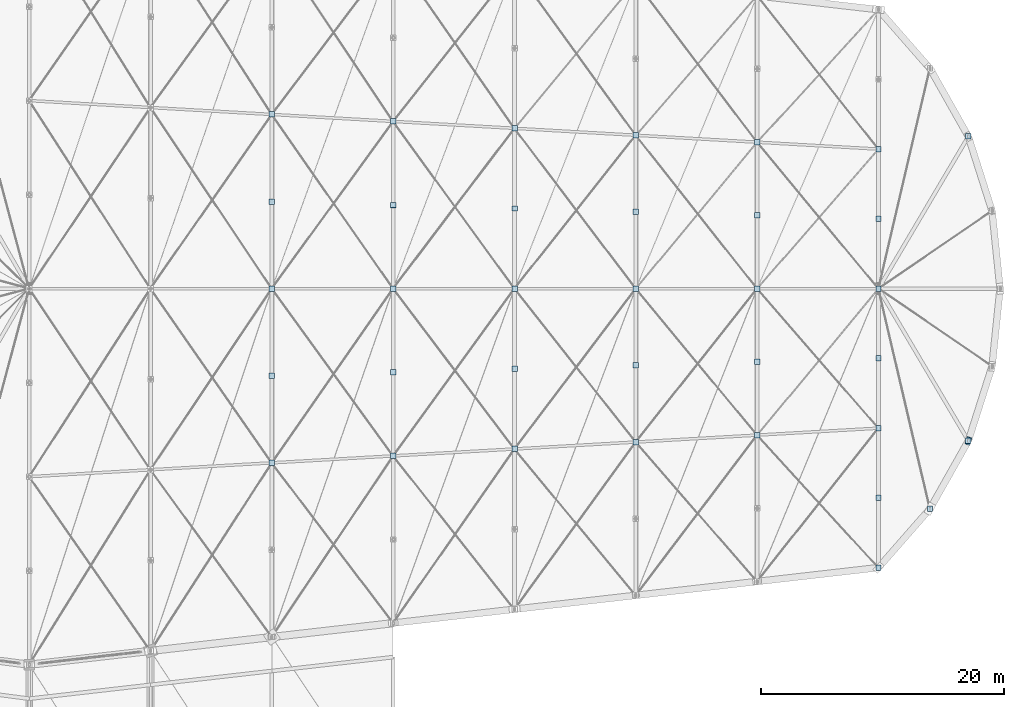
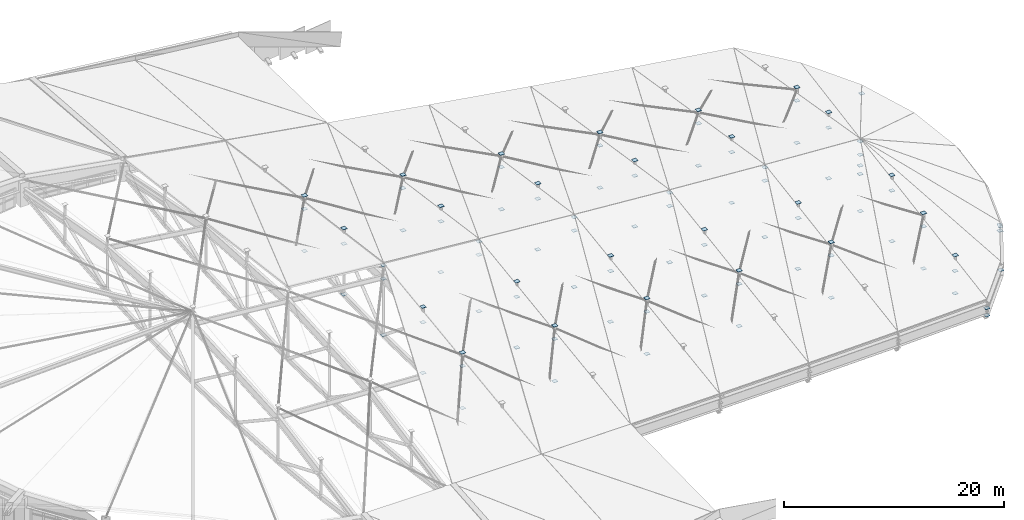
# One storey, part 62 of 68: 101 plates.
"""IFC4 building model written with IfcOpenShell, lengths in metres."""

from ifc_helpers import new_model, si_unit, direction, frame, origin, origin_2d, place, context, subcontext, project, spatial, rectangle, extrude, material, layer, layer_set, type_object, element, save


model = new_model("IFC4")

# Units and contexts
model_context = context("Model", 3, precision=1e-05, world=origin(), true_north=direction((0.0, 1.0)))
body_context = subcontext(model_context, "Body", "Model", "MODEL_VIEW")
ifc_project = project(units=[si_unit("LENGTHUNIT", "METRE"), si_unit("AREAUNIT", "SQUARE_METRE"), si_unit("VOLUMEUNIT", "CUBIC_METRE"), si_unit("PLANEANGLEUNIT", "RADIAN"), si_unit("MASSUNIT", "GRAM", prefix="KILO")], contexts=[model_context])

# Site, building, storey
site_placement = place(None, origin())
site = spatial("IfcSite", under=ifc_project, at=site_placement, CompositionType="ELEMENT")
building_placement = place(site_placement, origin())
building = spatial("IfcBuilding", under=site, at=building_placement, Name="Sohan Crest Arena", CompositionType="ELEMENT")
storey_placement = place(building_placement, frame((0.0, 0.0, 27.0)))
storey = spatial("IfcBuildingStorey", under=building, at=storey_placement, Name="RF", CompositionType="ELEMENT", Elevation=27.0)

# Plates
ifc_material = material(Name="Steel S355", Category="steel")
ifc_layer_1 = layer(ifc_material, 0.031982421875, Name="Steel S355")
ifc_layer_set_1 = layer_set([ifc_layer_1], Name="Steel S355")
plate_type_1 = type_object("IfcPlateType", Name="STR-PL-BP01", PredefinedType="USERDEFINED", material=ifc_layer_set_1)
for number, where, z_axis, x_axis, name in (
    (1, (118.0, 63.64306640625, 2.511474609375), (0.0, 0.0, 1.0), (1.0, 0.0, 0.0), "Hollow section end cap plate ECP-0326"),
    (2, (118.0, 63.64306640625, 4.00146484375), (0.0, 0.0, 1.0), (1.0, 0.0, 0.0), "Hollow section end cap plate ECP-0327"),
    (3, (118.0, 70.822021484375, 2.99365234375), (0.0, 0.0, 1.0), (1.0, 0.0, 0.0), "Hollow section end cap plate ECP-0328"),
    (4, (118.0, 70.822021484375, 4.7236328125), (0.0, 0.0, 1.0), (1.0, 0.0, 0.0), "Hollow section end cap plate ECP-0329"),
    (5, (118.0, 78.0, 3.474609375), (0.0, 0.0, 1.0), (1.0, 0.0, 0.0), "Hollow section end cap plate ECP-0330"),
    (6, (118.0, 78.0, 4.964599609375), (0.0, 0.0, 1.0), (1.0, 0.0, 0.0), "Hollow section end cap plate ECP-0331"),
    (7, (118.0, 85.177978515625, 2.99365234375), (0.0, 0.0, 1.0), (1.0, 0.0, 0.0), "Hollow section end cap plate ECP-0332"),
    (8, (118.0, 85.177978515625, 4.7236328125), (0.0, 0.0, 1.0), (1.0, 0.0, 0.0), "Hollow section end cap plate ECP-0333"),
    (9, (118.0, 92.35693359375, 2.511474609375), (0.0, 0.0, 1.0), (1.0, 0.0, 0.0), "Hollow section end cap plate ECP-0334"),
    (10, (118.0, 92.35693359375, 4.00146484375), (0.0, 0.0, 1.0), (1.0, 0.0, 0.0), "Hollow section end cap plate ECP-0335"),
    (11, (118.0, 63.64306640625, -2.175537109375), (0.0, 0.0, 1.0), (1.0, 0.0, 0.0), "Hollow section end cap plate ECP-0340"),
    (12, (118.0, 70.822021484375, -2.62548828125), (0.0, 0.0, 1.0), (1.0, 0.0, 0.0), "Hollow section end cap plate ECP-0341"),
    (13, (118.0, 78.0, -2.775390625), (0.0, 0.0, 1.0), (1.0, 0.0, 0.0), "Hollow section end cap plate ECP-0342"),
    (14, (118.0, 85.177978515625, -2.62548828125), (0.0, 0.0, 1.0), (1.0, 0.0, 0.0), "Hollow section end cap plate ECP-0343"),
    (15, (118.0, 92.35693359375, -2.175537109375), (0.0, 0.0, 1.0), (1.0, 0.0, 0.0), "Hollow section end cap plate ECP-0344"),
    (16, (128.0, 64.215087890625, 1.652587890625), (0.0, 0.0, 1.0), (1.0, 0.0, 0.0), "Hollow section end cap plate ECP-0349"),
    (17, (128.0, 64.215087890625, 3.142578125), (0.0, 0.0, 1.0), (1.0, 0.0, 0.0), "Hollow section end cap plate ECP-0350"),
    (18, (128.0, 71.10791015625, 2.133544921875), (0.0, 0.0, 1.0), (1.0, 0.0, 0.0), "Hollow section end cap plate ECP-0351"),
    (19, (128.0, 71.10693359375, 3.863525390625), (0.0, 0.0, 1.0), (1.0, 0.0, 0.0), "Hollow section end cap plate ECP-0352"),
    (20, (128.0, 78.0, 2.614501953125), (0.0, 0.0, 1.0), (1.0, 0.0, 0.0), "Hollow section end cap plate ECP-0353"),
    (21, (128.0, 78.0, 4.1044921875), (0.0, 0.0, 1.0), (1.0, 0.0, 0.0), "Hollow section end cap plate ECP-0354"),
    (22, (128.0, 84.89208984375, 2.133544921875), (0.0, 0.0, 1.0), (1.0, 0.0, 0.0), "Hollow section end cap plate ECP-0355"),
    (23, (128.0, 84.89306640625, 3.863525390625), (0.0, 0.0, 1.0), (1.0, 0.0, 0.0), "Hollow section end cap plate ECP-0356"),
    (24, (128.0, 91.784912109375, 1.652587890625), (0.0, 0.0, 1.0), (1.0, 0.0, 0.0), "Hollow section end cap plate ECP-0357"),
    (25, (128.0, 91.784912109375, 3.142578125), (0.0, 0.0, 1.0), (1.0, 0.0, 0.0), "Hollow section end cap plate ECP-0358"),
    (26, (128.0, 64.215087890625, -3.035400390625), (0.0, 0.0, 1.0), (1.0, 0.0, 0.0), "Hollow section end cap plate ECP-0363"),
    (27, (128.0, 71.10693359375, -3.4853515625), (0.0, 0.0, 1.0), (1.0, 0.0, 0.0), "Hollow section end cap plate ECP-0364"),
    (28, (128.0, 78.0, -3.635498046875), (0.0, 0.0, 1.0), (1.0, 0.0, 0.0), "Hollow section end cap plate ECP-0365"),
    (29, (128.0, 84.89306640625, -3.4853515625), (0.0, 0.0, 1.0), (1.0, 0.0, 0.0), "Hollow section end cap plate ECP-0366"),
    (30, (128.0, 91.784912109375, -3.035400390625), (0.0, 0.0, 1.0), (1.0, 0.0, 0.0), "Hollow section end cap plate ECP-0367"),
    (31, (138.0, 64.784912109375, 0.83447265625), (0.0, 0.0, 1.0), (1.0, 0.0, 0.0), "Hollow section end cap plate ECP-0372"),
    (32, (138.0, 64.784912109375, 2.324462890625), (0.0, 0.0, 1.0), (1.0, 0.0, 0.0), "Hollow section end cap plate ECP-0373"),
    (33, (138.0, 71.39208984375, 1.3154296875), (0.0, 0.0, 1.0), (1.0, 0.0, 0.0), "Hollow section end cap plate ECP-0374"),
    (34, (138.0, 71.39306640625, 3.046630859375), (0.0, 0.0, 1.0), (1.0, 0.0, 0.0), "Hollow section end cap plate ECP-0375"),
    (35, (138.0, 78.0, 1.797607421875), (0.0, 0.0, 1.0), (1.0, 0.0, 0.0), "Hollow section end cap plate ECP-0376"),
    (36, (138.0, 78.0, 3.28759765625), (0.0, 0.0, 1.0), (1.0, 0.0, 0.0), "Hollow section end cap plate ECP-0377"),
    (37, (138.0, 84.60791015625, 1.3154296875), (0.0, 0.0, 1.0), (1.0, 0.0, 0.0), "Hollow section end cap plate ECP-0378"),
    (38, (138.0, 84.60693359375, 3.046630859375), (0.0, 0.0, 1.0), (1.0, 0.0, 0.0), "Hollow section end cap plate ECP-0379"),
    (39, (138.0, 91.215087890625, 0.83447265625), (0.0, 0.0, 1.0), (1.0, 0.0, 0.0), "Hollow section end cap plate ECP-0380"),
    (40, (138.0, 91.215087890625, 2.324462890625), (0.0, 0.0, 1.0), (1.0, 0.0, 0.0), "Hollow section end cap plate ECP-0381"),
    (41, (138.0, 64.784912109375, -3.8525390625), (0.0, 0.0, 1.0), (1.0, 0.0, 0.0), "Hollow section end cap plate ECP-0386"),
    (42, (138.0, 71.39306640625, -4.302490234375), (0.0, 0.0, 1.0), (1.0, 0.0, 0.0), "Hollow section end cap plate ECP-0387"),
    (43, (138.0, 78.0, -4.452392578125), (0.0, 0.0, 1.0), (1.0, 0.0, 0.0), "Hollow section end cap plate ECP-0388"),
    (44, (138.0, 84.60693359375, -4.302490234375), (0.0, 0.0, 1.0), (1.0, 0.0, 0.0), "Hollow section end cap plate ECP-0389"),
    (45, (138.0, 91.215087890625, -3.8525390625), (0.0, 0.0, 1.0), (1.0, 0.0, 0.0), "Hollow section end cap plate ECP-0390"),
    (46, (148.0, 65.35693359375, 0.068603515625), (0.0, 0.0, 1.0), (1.0, 0.0, 0.0), "Hollow section end cap plate ECP-0395"),
    (47, (148.0, 65.35693359375, 1.55859375), (0.0, 0.0, 1.0), (1.0, 0.0, 0.0), "Hollow section end cap plate ECP-0396"),
    (48, (148.0, 71.677978515625, 0.549560546875), (0.0, 0.0, 1.0), (1.0, 0.0, 0.0), "Hollow section end cap plate ECP-0397"),
    (49, (148.0, 71.677978515625, 2.279541015625), (0.0, 0.0, 1.0), (1.0, 0.0, 0.0), "Hollow section end cap plate ECP-0398"),
    (50, (148.0, 78.0, 1.030517578125), (0.0, 0.0, 1.0), (1.0, 0.0, 0.0), "Hollow section end cap plate ECP-0399"),
    (51, (148.0, 78.0, 2.5205078125), (0.0, 0.0, 1.0), (1.0, 0.0, 0.0), "Hollow section end cap plate ECP-0400"),
    (52, (148.0, 84.322021484375, 0.549560546875), (0.0, 0.0, 1.0), (1.0, 0.0, 0.0), "Hollow section end cap plate ECP-0401"),
    (53, (148.0, 84.322021484375, 2.279541015625), (0.0, 0.0, 1.0), (1.0, 0.0, 0.0), "Hollow section end cap plate ECP-0402"),
    (54, (148.0, 90.64306640625, 0.068603515625), (0.0, 0.0, 1.0), (1.0, 0.0, 0.0), "Hollow section end cap plate ECP-0403"),
    (55, (148.0, 90.64306640625, 1.55859375), (0.0, 0.0, 1.0), (1.0, 0.0, 0.0), "Hollow section end cap plate ECP-0404"),
    (56, (148.0, 65.35693359375, -4.619384765625), (0.0, 0.0, 1.0), (1.0, 0.0, 0.0), "Hollow section end cap plate ECP-0409"),
    (57, (148.0, 71.677978515625, -5.0693359375), (0.0, 0.0, 1.0), (1.0, 0.0, 0.0), "Hollow section end cap plate ECP-0410"),
    (58, (148.0, 78.0, -5.219482421875), (0.0, 0.0, 1.0), (1.0, 0.0, 0.0), "Hollow section end cap plate ECP-0411"),
    (59, (148.0, 84.322021484375, -5.0693359375), (0.0, 0.0, 1.0), (1.0, 0.0, 0.0), "Hollow section end cap plate ECP-0412"),
    (60, (148.0, 90.64306640625, -4.619384765625), (0.0, 0.0, 1.0), (1.0, 0.0, 0.0), "Hollow section end cap plate ECP-0413"),
    (61, (158.0, 65.927978515625, -0.637451171875), (0.0, 0.0, 1.0), (1.0, 0.0, 0.0), "Hollow section end cap plate ECP-0418"),
    (62, (158.0, 65.927978515625, 0.8525390625), (0.0, 0.0, 1.0), (1.0, 0.0, 0.0), "Hollow section end cap plate ECP-0419"),
    (63, (158.0, 71.964111328125, -0.155517578125), (0.0, 0.0, 1.0), (1.0, 0.0, 0.0), "Hollow section end cap plate ECP-0420"),
    (64, (158.0, 71.964111328125, 1.574462890625), (0.0, 0.0, 1.0), (1.0, 0.0, 0.0), "Hollow section end cap plate ECP-0421"),
    (65, (158.0, 78.0, 0.325439453125), (0.0, 0.0, 1.0), (1.0, 0.0, 0.0), "Hollow section end cap plate ECP-0422"),
    (66, (158.0, 78.0, 1.8154296875), (0.0, 0.0, 1.0), (1.0, 0.0, 0.0), "Hollow section end cap plate ECP-0423"),
    (67, (158.0, 84.035888671875, -0.155517578125), (0.0, 0.0, 1.0), (1.0, 0.0, 0.0), "Hollow section end cap plate ECP-0424"),
    (68, (158.0, 84.035888671875, 1.574462890625), (0.0, 0.0, 1.0), (1.0, 0.0, 0.0), "Hollow section end cap plate ECP-0425"),
    (69, (158.0, 90.072021484375, -0.637451171875), (0.0, 0.0, 1.0), (1.0, 0.0, 0.0), "Hollow section end cap plate ECP-0426"),
    (70, (158.0, 90.072021484375, 0.8525390625), (0.0, 0.0, 1.0), (1.0, 0.0, 0.0), "Hollow section end cap plate ECP-0427"),
    (71, (158.0, 65.927978515625, -5.324462890625), (0.0, 0.0, 1.0), (1.0, 0.0, 0.0), "Hollow section end cap plate ECP-0432"),
    (72, (158.0, 71.964111328125, -5.7744140625), (0.0, 0.0, 1.0), (1.0, 0.0, 0.0), "Hollow section end cap plate ECP-0433"),
    (73, (158.0, 78.0, -5.924560546875), (0.0, 0.0, 1.0), (1.0, 0.0, 0.0), "Hollow section end cap plate ECP-0434"),
    (74, (158.0, 84.035888671875, -5.7744140625), (0.0, 0.0, 1.0), (1.0, 0.0, 0.0), "Hollow section end cap plate ECP-0435"),
    (75, (158.0, 90.072021484375, -5.324462890625), (0.0, 0.0, 1.0), (1.0, 0.0, 0.0), "Hollow section end cap plate ECP-0436"),
    (76, (168.0, 55.0, -4.1435546875), (0.0, 0.0, 1.0), (1.0, 0.0, 0.0), "Hollow section end cap plate ECP-0438"),
    (77, (168.0, 60.75, -2.700439453125), (0.0, 0.0, 1.0), (1.0, 0.0, 0.0), "Hollow section end cap plate ECP-0439"),
    (78, (168.0, 60.75, -0.969482421875), (0.0, 0.0, 1.0), (1.0, 0.0, 0.0), "Hollow section end cap plate ECP-0440"),
    (79, (168.0, 66.5, -1.25634765625), (0.0, 0.0, 1.0), (1.0, 0.0, 0.0), "Hollow section end cap plate ECP-0441"),
    (80, (168.0, 66.5, 0.233642578125), (0.0, 0.0, 1.0), (1.0, 0.0, 0.0), "Hollow section end cap plate ECP-0442"),
    (81, (168.0, 72.25, -0.7744140625), (0.0, 0.0, 1.0), (1.0, 0.0, 0.0), "Hollow section end cap plate ECP-0443"),
    (82, (168.0, 72.25, 0.95556640625), (0.0, 0.0, 1.0), (1.0, 0.0, 0.0), "Hollow section end cap plate ECP-0444"),
    (83, (168.0, 78.0, -0.29345703125), (0.0, 0.0, 1.0), (1.0, 0.0, 0.0), "Hollow section end cap plate ECP-0445"),
    (84, (168.0, 78.0, 1.196533203125), (0.0, 0.0, 1.0), (1.0, 0.0, 0.0), "Hollow section end cap plate ECP-0446"),
    (85, (168.0, 83.75, -0.7744140625), (0.0, 0.0, 1.0), (1.0, 0.0, 0.0), "Hollow section end cap plate ECP-0447"),
    (86, (168.0, 83.75, 0.95556640625), (0.0, 0.0, 1.0), (1.0, 0.0, 0.0), "Hollow section end cap plate ECP-0448"),
    (87, (168.0, 89.5, -1.25634765625), (0.0, 0.0, 1.0), (1.0, 0.0, 0.0), "Hollow section end cap plate ECP-0449"),
    (88, (168.0, 89.5, 0.233642578125), (0.0, 0.0, 1.0), (1.0, 0.0, 0.0), "Hollow section end cap plate ECP-0450"),
    (89, (168.0, 60.75, -5.193359375), (0.0, 0.0, 1.0), (1.0, 0.0, 0.0), "Hollow section end cap plate ECP-0454"),
    (90, (168.0, 66.5, -5.943359375), (0.0, 0.0, 1.0), (1.0, 0.0, 0.0), "Hollow section end cap plate ECP-0455"),
    (91, (168.0, 72.25, -6.3935546875), (0.0, 0.0, 1.0), (1.0, 0.0, 0.0), "Hollow section end cap plate ECP-0456"),
    (92, (168.0, 78.0, -6.54345703125), (0.0, 0.0, 1.0), (1.0, 0.0, 0.0), "Hollow section end cap plate ECP-0457"),
    (93, (168.0, 83.75, -6.3935546875), (0.0, 0.0, 1.0), (1.0, 0.0, 0.0), "Hollow section end cap plate ECP-0458"),
    (94, (168.0, 89.5, -5.943359375), (0.0, 0.0, 1.0), (1.0, 0.0, 0.0), "Hollow section end cap plate ECP-0459"),
    (95, (168.0, 55.0, -3.33349609375), (0.0, 0.0, 1.0), (1.0, 0.0, 0.0), "Hollow section end cap plate ECP-0480"),
    (96, (172.242919921875, 59.845947265625, -3.557373046875), (0.0, 0.0, 1.0), (1.0, 0.0, 0.0), "Hollow section end cap plate ECP-0481"),
    (97, (175.408935546875, 65.455078125, -3.699462890625), (0.0, 0.0, 1.0), (1.0, 0.0, 0.0), "Hollow section end cap plate ECP-0482"),
    (98, (175.408935546875, 90.544921875, -3.699462890625), (0.0, 0.0, 1.0), (1.0, 0.0, 0.0), "Hollow section end cap plate ECP-0486"),
    (99, (168.0, 78.0, -2.41748046875), (0.0, 0.0, 1.0), (1.0, 0.0, 0.0), "Hollow section end cap plate ECP-0497"),
    (100, (168.0, 78.0, -1.487548828125), (0.0, 0.0, 1.0), (1.0, 0.0, 0.0), "Hollow section end cap plate ECP-0498"),
):
    element("IfcPlate", number, at=place(storey_placement, frame(where, z_axis=z_axis, x_axis=x_axis)), inside=storey, type_object=plate_type_1, Name=name, ObjectType="BASE PLATE", PredefinedType="USERDEFINED", context=body_context, shape_type="SweptSolid", body=[
        extrude(rectangle(XDim=0.449951171875, YDim=0.449951171875, at=origin_2d()), origin(), (0.0, 0.0, 1.0), 0.02490234375),
    ])
ifc_layer_2 = layer(ifc_material, 0.02490234375, Name="Steel S355")
ifc_layer_set_2 = layer_set([ifc_layer_2], Name="Steel S355")
plate_type_2 = type_object("IfcPlateType", Name="STR-PL-GP01", PredefinedType="USERDEFINED", material=ifc_layer_set_2)
plate_placement = place(storey_placement, frame((175.408935546875, 65.455078125, -3.139404296875), z_axis=(0.0, 0.0, 1.0), x_axis=(0.304033060925, 0.952661481254, 0.0)))
element("IfcPlate", 101, at=plate_placement, inside=storey, type_object=plate_type_2, Name="Ring beam node gusset plate GP-RB22", ObjectType="GUSSET PLATE", PredefinedType="USERDEFINED", context=body_context, shape_type="SweptSolid", body=[
    extrude(rectangle(XDim=0.64990234375, YDim=0.419921875, at=origin_2d()), origin(), (0.0, 0.0, 1.0), 0.02490234375),
])

save(model, "model.ifc")
